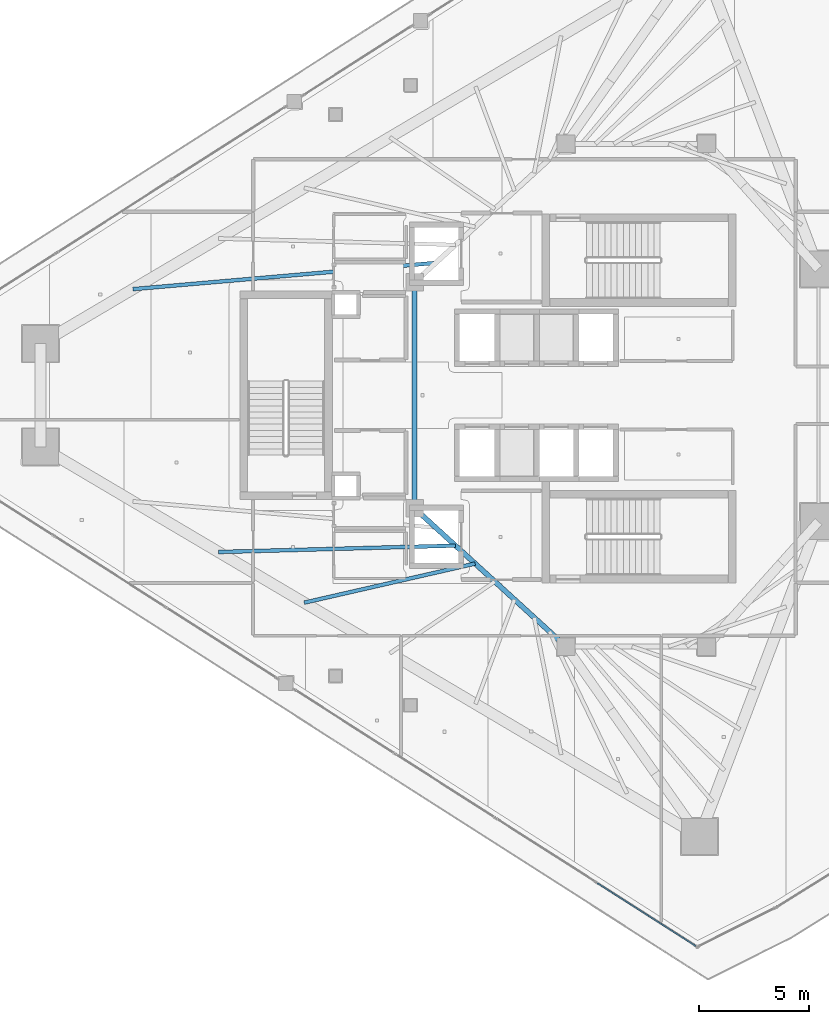
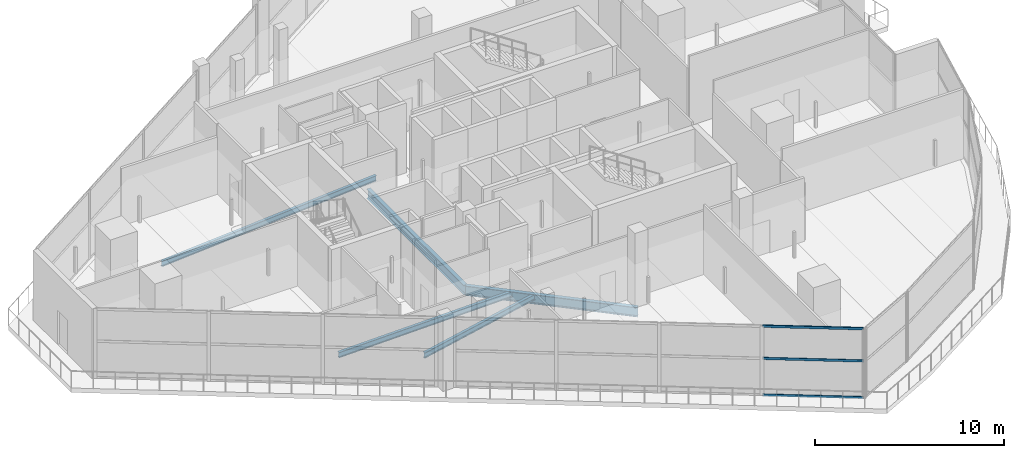
# One storey, part 8 of 36: 5 beams, 3 members, 1 element without a shape of its own.
"""IFC4 building model written with IfcOpenShell, lengths in metres."""

from ifc_helpers import new_model, si_unit, direction, frame, origin, origin_2d, place, context, subcontext, project, spatial, hollow_rectangle, i_section, extrude, material, layer, layer_set, material_profile, profile_set, type_object, element, aggregate, save


model = new_model("IFC4")

# Units and contexts
model_context = context("Model", 3, precision=1e-05, world=origin(), true_north=direction((0.0, 1.0)))
body_context = subcontext(model_context, "Body", "Model", "MODEL_VIEW")
ifc_project = project(units=[si_unit("LENGTHUNIT", "METRE"), si_unit("AREAUNIT", "SQUARE_METRE"), si_unit("VOLUMEUNIT", "CUBIC_METRE"), si_unit("PLANEANGLEUNIT", "RADIAN"), si_unit("MASSUNIT", "GRAM", prefix="KILO")], contexts=[model_context])

# Site, building, storey
site_placement = place(None, origin())
site = spatial("IfcSite", under=ifc_project, at=site_placement, CompositionType="ELEMENT")
building_placement = place(site_placement, origin())
building = spatial("IfcBuilding", under=site, at=building_placement, Name="Qorvath Tower", CompositionType="ELEMENT")
storey_placement = place(building_placement, frame((0.0, 0.0, 255.0)))
storey = spatial("IfcBuildingStorey", under=building, at=storey_placement, Name="L59", CompositionType="ELEMENT", Elevation=255.0)

# Beams
ifc_material_1 = material(Name="Steel ASTM A992 Grade 50", Category="steel")
ifc_material_profile_1 = material_profile(ifc_material_1, i_section(OverallWidth=0.22998046875, OverallDepth=0.616943359375, WebThickness=0.01318359375, FlangeThickness=0.022216796875, FilletRadius=0.014892578125, at=origin_2d()), Name="W24x94")
ifc_profile_set_1 = profile_set([ifc_material_profile_1], Name="Steel ASTM A992 Grade 50")
beam_type_1 = type_object("IfcBeamType", Name="BM-FG6", PredefinedType="BEAM", material=ifc_profile_set_1)
beam_1_placement = place(storey_placement, frame((-23.60009765625, -11.449951171875, -0.6083984375), z_axis=(-0.73847813985, 0.6742774184, 0.0), x_axis=(-0.6742774184, -0.73847813985, 0.0)))
element("IfcBeam", 1, at=beam_1_placement, inside=storey, type_object=beam_type_1, Name="Core Ring Girder CC4-CC6 L59", PredefinedType="BEAM", context=body_context, shape_type="SweptSolid", body=[
    extrude(i_section(OverallWidth=0.22998046875, OverallDepth=0.616943359375, WebThickness=0.01318359375, FlangeThickness=0.022216796875, FilletRadius=0.014892578125, at=origin_2d()), origin(), (0.0, 0.0, 1.0), 9.343505859375),
])
beam_2_placement = place(storey_placement, frame((-30.5, -5.14990234375, -0.6083984375), z_axis=(0.0, 1.0, 0.0), x_axis=(-1.0, 0.0, 0.0)))
element("IfcBeam", 2, at=beam_2_placement, inside=storey, type_object=beam_type_1, Name="Core Ring Girder CC6-CC5 L59", PredefinedType="BEAM", context=body_context, shape_type="SweptSolid", body=[
    extrude(i_section(OverallWidth=0.22998046875, OverallDepth=0.616943359375, WebThickness=0.01318359375, FlangeThickness=0.022216796875, FilletRadius=0.014892578125, at=origin_2d()), origin(), (0.0, 0.0, 1.0), 10.2998046875),
])
ifc_material_2 = material(Name="Steel ASTM A992 Grade 50", Category="steel")
ifc_material_profile_2 = material_profile(ifc_material_2, i_section(OverallWidth=0.1708984375, OverallDepth=0.35107421875, WebThickness=0.0068359375, FlangeThickness=0.009765625, FilletRadius=0.010009765625, at=origin_2d()), Name="W14x30")
ifc_profile_set_2 = profile_set([ifc_material_profile_2], Name="Steel ASTM A992 Grade 50")
beam_type_2 = type_object("IfcBeamType", Name="BM-FJ4", PredefinedType="JOIST", material=ifc_profile_set_2)
beam_3_placement = place(storey_placement, frame((-29.533935546875, 6.031982421875, -0.4755859375), z_axis=(-0.996257895131, -0.086430355719, 0.0), x_axis=(0.086430355719, -0.996257895131, 0.0)))
element("IfcBeam", 3, at=beam_3_placement, inside=storey, type_object=beam_type_2, Name="Composite Floor Joist NW1 L59", PredefinedType="JOIST", context=body_context, shape_type="SweptSolid", body=[
    extrude(i_section(OverallWidth=0.1708984375, OverallDepth=0.35107421875, WebThickness=0.0068359375, FlangeThickness=0.009765625, FilletRadius=0.010009765625, at=origin_2d()), origin(), (0.0, 0.0, 1.0), 13.852294921875),
])
beam_4_placement = place(storey_placement, frame((-28.636962890625, -6.85107421875, -0.4755859375), z_axis=(-0.999635580213, -0.026994569327, 0.0), x_axis=(0.026994569327, -0.999635580213, 0.0)))
element("IfcBeam", 4, at=beam_4_placement, inside=storey, type_object=beam_type_2, Name="Composite Floor Joist SW2 L59", PredefinedType="JOIST", context=body_context, shape_type="SweptSolid", body=[
    extrude(i_section(OverallWidth=0.1708984375, OverallDepth=0.35107421875, WebThickness=0.0068359375, FlangeThickness=0.009765625, FilletRadius=0.010009765625, at=origin_2d()), origin(), (0.0, 0.0, 1.0), 10.798583984375),
])
beam_5_placement = place(storey_placement, frame((-27.739990234375, -7.669921875, -0.4755859375), z_axis=(-0.974852627195, -0.222850522212, 0.0), x_axis=(0.222850522212, -0.974852627195, 0.0)))
element("IfcBeam", 5, at=beam_5_placement, inside=storey, type_object=beam_type_2, Name="Composite Floor Joist SW3 L59", PredefinedType="JOIST", context=body_context, shape_type="SweptSolid", body=[
    extrude(i_section(OverallWidth=0.1708984375, OverallDepth=0.35107421875, WebThickness=0.0068359375, FlangeThickness=0.009765625, FilletRadius=0.010009765625, at=origin_2d()), origin(), (0.0, 0.0, 1.0), 7.98974609375),
])

# Curtain wall, members
ifc_material_3 = material(Name="Anodised aluminium and triple low-E glass", Category="aluminium")
ifc_layer = layer(ifc_material_3, 0.179931640625)
ifc_layer_set = layer_set([ifc_layer], Name="CW-SYS-5")
curtain_wall_type = type_object("IfcCurtainWallType", Name="CW-SYS-5", PredefinedType="NOTDEFINED", material=ifc_layer_set)
curtain_wall_placement = place(storey_placement, origin())
curtain_wall = element("IfcCurtainWall", 6, at=curtain_wall_placement, inside=storey, type_object=curtain_wall_type, Name="Curtain Wall CW-5 CW-T-L59-2.2", PredefinedType="NOTDEFINED")
ifc_material_4 = material(Name="Anodised aluminium 6063-T6", Category="aluminium")
ifc_material_profile_3 = material_profile(ifc_material_4, hollow_rectangle(XDim=0.06494140625, YDim=0.159912109375, WallThickness=0.00341796875, InnerFilletRadius=0.00341796875, OuterFilletRadius=0.007080078125, at=origin_2d()), Name="CWT 160x65")
ifc_profile_set_3 = profile_set([ifc_material_profile_3], Name="Anodised aluminium 6063-T6")
member_type = type_object("IfcMemberType", Name="CWT-160", PredefinedType="USERDEFINED", material=ifc_profile_set_3)
member_1_placement = place(storey_placement, frame((-22.1826171875, -22.22265625, 0.032470703125), z_axis=(0.842609229925, -0.538525473535, 0.0), x_axis=(0.538525473535, 0.842609229925, 0.0)))
member_1 = element("IfcMember", 7, at=member_1_placement, type_object=member_type, Name="CW-5 transom 4.1", ObjectType="TRANSOM", PredefinedType="USERDEFINED", context=body_context, shape_type="SweptSolid", body=[
    extrude(hollow_rectangle(XDim=0.06494140625, YDim=0.159912109375, WallThickness=0.00341796875, InnerFilletRadius=0.00341796875, OuterFilletRadius=0.007080078125, at=origin_2d()), origin(), (0.0, 0.0, 1.0), 5.339111328125),
])
member_2_placement = place(storey_placement, frame((-22.1826171875, -22.22265625, 2.39990234375), z_axis=(0.842609229925, -0.538525473535, 0.0), x_axis=(0.538525473535, 0.842609229925, 0.0)))
member_2 = element("IfcMember", 8, at=member_2_placement, type_object=member_type, Name="CW-5 transom 4.2", ObjectType="TRANSOM", PredefinedType="USERDEFINED", context=body_context, shape_type="SweptSolid", body=[
    extrude(hollow_rectangle(XDim=0.06494140625, YDim=0.159912109375, WallThickness=0.00341796875, InnerFilletRadius=0.00341796875, OuterFilletRadius=0.007080078125, at=origin_2d()), origin(), (0.0, 0.0, 1.0), 5.339111328125),
])
member_3_placement = place(storey_placement, frame((-22.1826171875, -22.22265625, 4.4775390625), z_axis=(0.842609229925, -0.538525473535, 0.0), x_axis=(0.538525473535, 0.842609229925, 0.0)))
member_3 = element("IfcMember", 9, at=member_3_placement, type_object=member_type, Name="CW-5 transom 4.3", ObjectType="TRANSOM", PredefinedType="USERDEFINED", context=body_context, shape_type="SweptSolid", body=[
    extrude(hollow_rectangle(XDim=0.06494140625, YDim=0.159912109375, WallThickness=0.00341796875, InnerFilletRadius=0.00341796875, OuterFilletRadius=0.007080078125, at=origin_2d()), origin(), (0.0, 0.0, 1.0), 5.339111328125),
])
aggregate(curtain_wall, [member_1, member_2, member_3])

save(model, "model.ifc")
